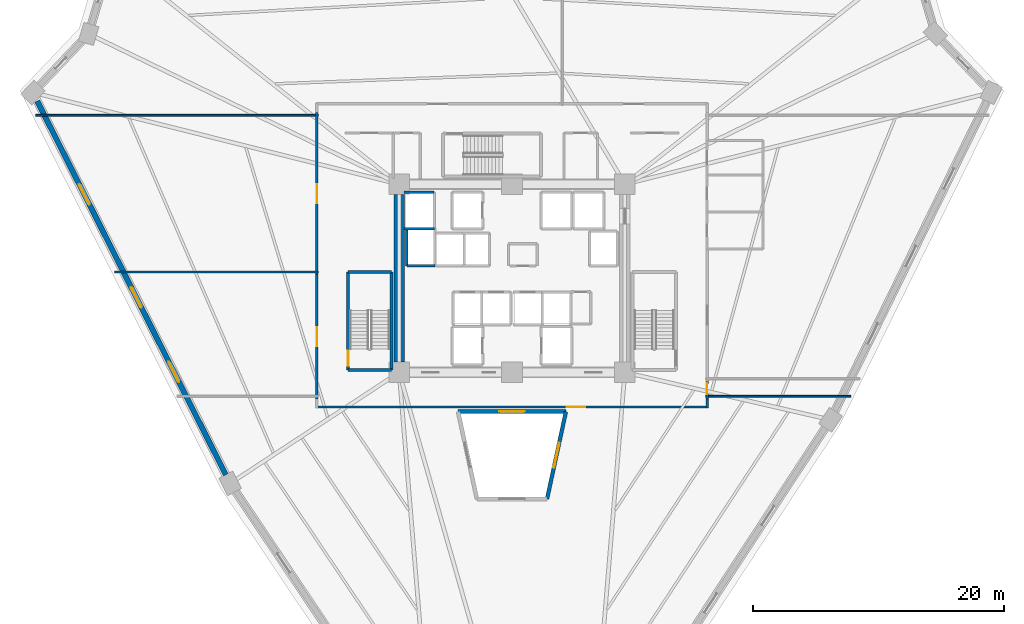
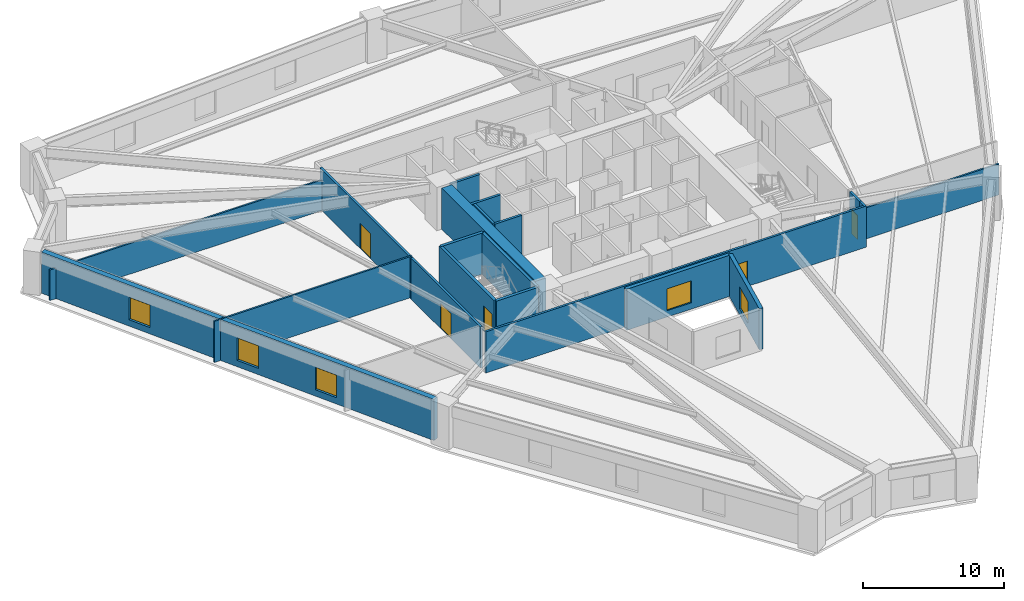
# One storey, part 3 of 8: 20 walls, 5 doors, 5 windows, 10 openings.
"""IFC4 building model written with IfcOpenShell, lengths in metres."""

from ifc_helpers import new_model, si_unit, direction, frame, frame_2d, origin, place, context, subcontext, project, spatial, rectangle, extrude, source, transform, mapped, material, layer, layer_set, type_object, element, fill, save


model = new_model("IFC4")

# Units and contexts
model_context = context("Model", 3, precision=1e-05, world=origin(), true_north=direction((0.0, 1.0)))
body_context = subcontext(model_context, "Body", "Model", "MODEL_VIEW")
ifc_project = project(units=[si_unit("LENGTHUNIT", "METRE"), si_unit("AREAUNIT", "SQUARE_METRE"), si_unit("VOLUMEUNIT", "CUBIC_METRE"), si_unit("PLANEANGLEUNIT", "RADIAN"), si_unit("MASSUNIT", "GRAM", prefix="KILO")], contexts=[model_context])

# Site, building, storey
site_placement = place(None, origin())
site = spatial("IfcSite", under=ifc_project, at=site_placement, CompositionType="ELEMENT")
building_placement = place(site_placement, origin())
building = spatial("IfcBuilding", under=site, at=building_placement, Name="Liaohun Quay Tower", CompositionType="ELEMENT")
storey_placement = place(building_placement, frame((0.0, 0.0, 63.0)))
storey = spatial("IfcBuildingStorey", under=building, at=storey_placement, Name="L16", CompositionType="ELEMENT", Elevation=63.0)

# Wall, opening, window
ifc_material_1 = material(Name="Concrete C50", Category="concrete")
ifc_layer_1 = layer(ifc_material_1, 0.300048828125, Name="Concrete C50", Category="concrete")
ifc_layer_set_1 = layer_set([ifc_layer_1], Name="Concrete C50")
wall_type_1 = type_object("IfcWallType", Name="WAL-ATR-300", PredefinedType="SOLIDWALL", material=ifc_layer_set_1)
wall_1_placement = place(storey_placement, frame((55.697998046875, 43.3701171875, 0.0), z_axis=(0.0, 0.0, 1.0), x_axis=(1.0, 0.0, 0.0)))
wall_1 = element("IfcWall", 1, at=wall_1_placement, inside=storey, type_object=wall_type_1, Name="L16 Atrium Fire Compartment Wall 2", PredefinedType="SOLIDWALL", context=body_context, shape_type="SweptSolid", body=[
    extrude(rectangle(XDim=8.60400390625, YDim=0.300048828125, at=frame_2d((4.302001953125, 0.0))), origin(), (0.0, 0.0, 1.0), 3.570068359375),
])
shared_shape_1 = source(origin(), body_context, "Body", "SweptSolid", [
    extrude(rectangle(XDim=2.0, YDim=1.89990234375, at=frame_2d((1.0, 0.949951171875))), frame((0.0, 0.159912109375, 0.0), z_axis=(0.0, -1.0, 0.0), x_axis=(1.0, 0.0, 0.0)), (0.0, 0.0, 1.0), 0.320068359375),
])
opening_1_placement = place(wall_1_placement, frame((3.302001953125, 0.0, 0.550048828125)))
opening_1 = element("IfcOpeningElement", 2, at=opening_1_placement, cuts=wall_1, Name="Opening W07", PredefinedType="OPENING", context=body_context, shape_type="MappedRepresentation", body=[
    mapped(shared_shape_1, transform((0.0, 0.0, 0.0), x_axis=(1.0, 0.0, 0.0), y_axis=(0.0, 1.0, 0.0), z_axis=(0.0, 0.0, 1.0), scale=1.0)),
])
ifc_material_2 = material(Name="Class A 180-min fire-resistant insulated glazing", Category="glass")
window_type_1 = type_object("IfcWindowType", Name="WIN-ATR-FIR", PartitioningType="DOUBLE_PANEL_VERTICAL", PredefinedType="WINDOW", material=ifc_material_2)
shared_shape_2 = source(origin(), body_context, "Body", "SweptSolid", [
    extrude(rectangle(XDim=2.0, YDim=1.89990234375, at=frame_2d((1.0, 0.949951171875))), frame((0.0, 0.030029296875, 0.0), z_axis=(0.0, -1.0, 0.0), x_axis=(1.0, 0.0, 0.0)), (0.0, 0.0, 1.0), 0.06005859375),
])
window_1_placement = place(opening_1_placement, origin())
window_1 = element("IfcWindow", 3, at=window_1_placement, inside=storey, type_object=window_type_1, Name="L16 Atrium Fire-Resistant Glazing W07-2", OverallHeight=1.89990234375, OverallWidth=2.0, PartitioningType="DOUBLE_PANEL_VERTICAL", PredefinedType="WINDOW", context=body_context, shape_type="MappedRepresentation", body=[
    mapped(shared_shape_2, transform((0.0, 0.0, 0.0), x_axis=(1.0, 0.0, 0.0), y_axis=(0.0, 1.0, 0.0), z_axis=(0.0, 0.0, 1.0), scale=1.0)),
])
fill(opening_1, window_1)

wall_2_placement = place(storey_placement, frame((64.302001953125, 43.3701171875, 0.0), z_axis=(0.0, 0.0, 1.0), x_axis=(-0.211408002859, -0.977397900718, 0.0)))
wall_2 = element("IfcWall", 4, at=wall_2_placement, inside=storey, type_object=wall_type_1, Name="L16 Atrium Fire Compartment Wall 3", PredefinedType="SOLIDWALL", context=body_context, shape_type="SweptSolid", body=[
    extrude(rectangle(XDim=7.124267578125, YDim=0.300048828125, at=frame_2d((3.56201171875, 0.0))), origin(), (0.0, 0.0, 1.0), 3.570068359375),
])
opening_2_placement = place(wall_2_placement, frame((2.56201171875, 0.0, 0.550048828125)))
opening_2 = element("IfcOpeningElement", 5, at=opening_2_placement, cuts=wall_2, Name="Opening W07", PredefinedType="OPENING", context=body_context, shape_type="MappedRepresentation", body=[
    mapped(shared_shape_1, transform((0.0, 0.0, 0.0), x_axis=(1.0, 0.0, 0.0), y_axis=(0.0, 1.0, 0.0), z_axis=(0.0, 0.0, 1.0), scale=1.0)),
])
window_2_placement = place(opening_2_placement, origin())
window_2 = element("IfcWindow", 6, at=window_2_placement, inside=storey, type_object=window_type_1, Name="L16 Atrium Fire-Resistant Glazing W07-3", OverallHeight=1.89990234375, OverallWidth=2.0, PartitioningType="DOUBLE_PANEL_VERTICAL", PredefinedType="WINDOW", context=body_context, shape_type="MappedRepresentation", body=[
    mapped(shared_shape_2, transform((0.0, 0.0, 0.0), x_axis=(1.0, 0.0, 0.0), y_axis=(0.0, 1.0, 0.0), z_axis=(0.0, 0.0, 1.0), scale=1.0)),
])
fill(opening_2, window_2)

# Wall
ifc_material_3 = material(Name="Concrete C60", Category="concrete")
ifc_layer_2 = layer(ifc_material_3, 0.85009765625, Name="Concrete C60", Category="concrete")
ifc_layer_set_2 = layer_set([ifc_layer_2], Name="Concrete C60")
wall_type_2 = type_object("IfcWallType", Name="WAL-COR-Z1", PredefinedType="SHEAR", material=ifc_layer_set_2)
wall_3_placement = place(storey_placement, frame((51.0, 47.324951171875, 0.0), z_axis=(0.0, 0.0, 1.0), x_axis=(0.0, 1.0, 0.0)))
element("IfcWall", 7, at=wall_3_placement, inside=storey, type_object=wall_type_2, Name="L16 Central Core Shear Wall W", PredefinedType="SHEAR", context=body_context, shape_type="SweptSolid", body=[
    extrude(rectangle(XDim=13.35009765625, YDim=0.85009765625, at=frame_2d((6.675048828125, 0.0))), origin(), (0.0, 0.0, 1.0), 3.570068359375),
])

# Wall, openings, windows
ifc_material_4 = material(Name="Precast concrete C50 insulated sandwich", Category="concrete")
ifc_layer_3 = layer(ifc_material_4, 0.419921875, Name="Precast concrete C50 insulated sandwich", Category="concrete")
ifc_layer_set_3 = layer_set([ifc_layer_3], Name="Precast concrete C50 insulated sandwich")
wall_type_3 = type_object("IfcWallType", Name="WAL-EXT-Z12", PredefinedType="SOLIDWALL", material=ifc_layer_set_3)
wall_4_placement = place(storey_placement, frame((22.14111328125, 68.133056640625, 0.0), z_axis=(0.0, 0.0, 1.0), x_axis=(0.450521782218, -0.892765436017, 0.0)))
wall_4 = element("IfcWall", 8, at=wall_4_placement, inside=storey, type_object=wall_type_3, Name="L16 Brutalist Precast Pier Wall 10", PredefinedType="SOLIDWALL", context=body_context, shape_type="SweptSolid", body=[
    extrude(rectangle(XDim=33.38525390625, YDim=0.419921875, at=frame_2d((16.692626953125, 0.0))), origin(), (0.0, 0.0, 1.0), 3.570068359375),
])
shared_shape_3 = source(origin(), body_context, "Body", "SweptSolid", [
    extrude(rectangle(XDim=1.800048828125, YDim=1.949951171875, at=frame_2d((0.89990234375, 0.97509765625))), frame((0.0, 0.219970703125, 0.0), z_axis=(0.0, -1.0, 0.0), x_axis=(1.0, 0.0, 0.0)), (0.0, 0.0, 1.0), 0.43994140625),
])
opening_3_placement = place(wall_4_placement, frame((7.446044921875, 0.0, 0.550048828125)))
opening_3 = element("IfcOpeningElement", 9, at=opening_3_placement, cuts=wall_4, Name="Opening W01", PredefinedType="OPENING", context=body_context, shape_type="MappedRepresentation", body=[
    mapped(shared_shape_3, transform((0.0, 0.0, 0.0), x_axis=(1.0, 0.0, 0.0), y_axis=(0.0, 1.0, 0.0), z_axis=(0.0, 0.0, 1.0), scale=1.0)),
])
opening_4_placement = place(wall_4_placement, frame((16.64306640625, 0.0, 0.550048828125)))
opening_4 = element("IfcOpeningElement", 10, at=opening_4_placement, cuts=wall_4, Name="Opening W01", PredefinedType="OPENING", context=body_context, shape_type="MappedRepresentation", body=[
    mapped(shared_shape_3, transform((0.0, 0.0, 0.0), x_axis=(1.0, 0.0, 0.0), y_axis=(0.0, 1.0, 0.0), z_axis=(0.0, 0.0, 1.0), scale=1.0)),
])
opening_5_placement = place(wall_4_placement, frame((23.2890625, 0.0, 0.550048828125)))
opening_5 = element("IfcOpeningElement", 11, at=opening_5_placement, cuts=wall_4, Name="Opening W01", PredefinedType="OPENING", context=body_context, shape_type="MappedRepresentation", body=[
    mapped(shared_shape_3, transform((0.0, 0.0, 0.0), x_axis=(1.0, 0.0, 0.0), y_axis=(0.0, 1.0, 0.0), z_axis=(0.0, 0.0, 1.0), scale=1.0)),
])
ifc_material_5 = material(Name="Triple Low-E argon glazing in thermally broken aluminium", Category="aluminium")
window_type_2 = type_object("IfcWindowType", Name="WIN-PUN-Z1", PartitioningType="DOUBLE_PANEL_VERTICAL", PredefinedType="WINDOW", material=ifc_material_5)
shared_shape_4 = source(origin(), body_context, "Body", "SweptSolid", [
    extrude(rectangle(XDim=1.800048828125, YDim=1.949951171875, at=frame_2d((0.89990234375, 0.97509765625))), frame((0.0, 0.030029296875, 0.0), z_axis=(0.0, -1.0, 0.0), x_axis=(1.0, 0.0, 0.0)), (0.0, 0.0, 1.0), 0.06005859375),
])
window_3_placement = place(opening_3_placement, origin())
window_3 = element("IfcWindow", 12, at=window_3_placement, inside=storey, type_object=window_type_2, Name="L16 Recessed Cold-Climate Punched Window 10-1", OverallHeight=1.949951171875, OverallWidth=1.800048828125, PartitioningType="DOUBLE_PANEL_VERTICAL", PredefinedType="WINDOW", context=body_context, shape_type="MappedRepresentation", body=[
    mapped(shared_shape_4, transform((0.0, 0.0, 0.0), x_axis=(1.0, 0.0, 0.0), y_axis=(0.0, 1.0, 0.0), z_axis=(0.0, 0.0, 1.0), scale=1.0)),
])
fill(opening_3, window_3)
window_4_placement = place(opening_4_placement, origin())
window_4 = element("IfcWindow", 13, at=window_4_placement, inside=storey, type_object=window_type_2, Name="L16 Recessed Cold-Climate Punched Window 10-2", OverallHeight=1.949951171875, OverallWidth=1.800048828125, PartitioningType="DOUBLE_PANEL_VERTICAL", PredefinedType="WINDOW", context=body_context, shape_type="MappedRepresentation", body=[
    mapped(shared_shape_4, transform((0.0, 0.0, 0.0), x_axis=(1.0, 0.0, 0.0), y_axis=(0.0, 1.0, 0.0), z_axis=(0.0, 0.0, 1.0), scale=1.0)),
])
fill(opening_4, window_4)
window_5_placement = place(opening_5_placement, origin())
window_5 = element("IfcWindow", 14, at=window_5_placement, inside=storey, type_object=window_type_2, Name="L16 Recessed Cold-Climate Punched Window 10-3", OverallHeight=1.949951171875, OverallWidth=1.800048828125, PartitioningType="DOUBLE_PANEL_VERTICAL", PredefinedType="WINDOW", context=body_context, shape_type="MappedRepresentation", body=[
    mapped(shared_shape_4, transform((0.0, 0.0, 0.0), x_axis=(1.0, 0.0, 0.0), y_axis=(0.0, 1.0, 0.0), z_axis=(0.0, 0.0, 1.0), scale=1.0)),
])
fill(opening_5, window_5)

# Wall, opening, door
ifc_material_6 = material(Name="Autoclaved aerated concrete blockwork", Category="masonry")
ifc_layer_4 = layer(ifc_material_6, 0.179931640625, Name="Autoclaved aerated concrete blockwork", Category="masonry")
ifc_layer_set_4 = layer_set([ifc_layer_4], Name="Autoclaved aerated concrete blockwork")
wall_type_4 = type_object("IfcWallType", Name="WAL-PRT-COR", PredefinedType="PARTITIONING", material=ifc_layer_set_4)
wall_5_placement = place(storey_placement, frame((44.43994140625, 54.284912109375, 0.0), z_axis=(0.0, 0.0, 1.0), x_axis=(0.0, 1.0, 0.0)))
wall_5 = element("IfcWall", 15, at=wall_5_placement, inside=storey, type_object=wall_type_4, Name="L16 Interior Partition Wall 013", PredefinedType="PARTITIONING", context=body_context, shape_type="SweptSolid", body=[
    extrude(rectangle(XDim=12.93017578125, YDim=0.179931640625, at=frame_2d((6.465087890625, 0.0))), origin(), (0.0, 0.0, 1.0), 3.570068359375),
])
shared_shape_5 = source(origin(), body_context, "Body", "SweptSolid", [
    extrude(rectangle(XDim=1.5, YDim=2.199951171875, at=frame_2d((0.75, 1.10009765625))), frame((0.0, 0.099853515625, 0.0), z_axis=(0.0, -1.0, 0.0), x_axis=(1.0, 0.0, 0.0)), (0.0, 0.0, 1.0), 0.199951171875),
])
opening_6_placement = place(wall_5_placement, frame((5.715087890625, 0.0, 0.0)))
opening_6 = element("IfcOpeningElement", 16, at=opening_6_placement, cuts=wall_5, Name="Opening OD2", PredefinedType="OPENING", context=body_context, shape_type="MappedRepresentation", body=[
    mapped(shared_shape_5, transform((0.0, 0.0, 0.0), x_axis=(1.0, 0.0, 0.0), y_axis=(0.0, 1.0, 0.0), z_axis=(0.0, 0.0, 1.0), scale=1.0)),
])
ifc_material_7 = material(Name="Acoustic oak veneer double door")
door_type_1 = type_object("IfcDoorType", Name="DOR-OFF-1500", OperationType="DOUBLE_DOOR_SINGLE_SWING", PredefinedType="DOOR", material=ifc_material_7)
shared_shape_6 = source(origin(), body_context, "Body", "SweptSolid", [
    extrude(rectangle(XDim=1.5, YDim=2.199951171875, at=frame_2d((0.75, 1.10009765625))), frame((0.0, 0.02490234375, 0.0), z_axis=(0.0, -1.0, 0.0), x_axis=(1.0, 0.0, 0.0)), (0.0, 0.0, 1.0), 0.050048828125),
])
door_1_placement = place(opening_6_placement, origin())
door_1 = element("IfcDoor", 17, at=door_1_placement, inside=storey, type_object=door_type_1, Name="L16 Project Collaboration Studio 04 Door", OperationType="DOUBLE_DOOR_SINGLE_SWING", OverallHeight=2.199951171875, OverallWidth=1.5, PredefinedType="DOOR", context=body_context, shape_type="MappedRepresentation", body=[
    mapped(shared_shape_6, transform((0.0, 0.0, 0.0), x_axis=(1.0, 0.0, 0.0), y_axis=(0.0, 1.0, 0.0), z_axis=(0.0, 0.0, 1.0), scale=1.0)),
])
fill(opening_6, door_1)

wall_6_placement = place(storey_placement, frame((44.43994140625, 44.385009765625, 0.0), z_axis=(0.0, 0.0, 1.0), x_axis=(0.0, 1.0, 0.0)))
wall_6 = element("IfcWall", 18, at=wall_6_placement, inside=storey, type_object=wall_type_4, Name="L16 Interior Partition Wall 014", PredefinedType="PARTITIONING", context=body_context, shape_type="SweptSolid", body=[
    extrude(rectangle(XDim=9.89990234375, YDim=0.179931640625, at=frame_2d((4.949951171875, 0.0))), origin(), (0.0, 0.0, 1.0), 3.570068359375),
])
opening_7_placement = place(wall_6_placement, frame((4.199951171875, 0.0, 0.0)))
opening_7 = element("IfcOpeningElement", 19, at=opening_7_placement, cuts=wall_6, Name="Opening OD2", PredefinedType="OPENING", context=body_context, shape_type="MappedRepresentation", body=[
    mapped(shared_shape_5, transform((0.0, 0.0, 0.0), x_axis=(1.0, 0.0, 0.0), y_axis=(0.0, 1.0, 0.0), z_axis=(0.0, 0.0, 1.0), scale=1.0)),
])
door_2_placement = place(opening_7_placement, origin())
door_2 = element("IfcDoor", 20, at=door_2_placement, inside=storey, type_object=door_type_1, Name="L16 Engineering Model Workshop 05 Door", OperationType="DOUBLE_DOOR_SINGLE_SWING", OverallHeight=2.199951171875, OverallWidth=1.5, PredefinedType="DOOR", context=body_context, shape_type="MappedRepresentation", body=[
    mapped(shared_shape_6, transform((0.0, 0.0, 0.0), x_axis=(1.0, 0.0, 0.0), y_axis=(0.0, 1.0, 0.0), z_axis=(0.0, 0.0, 1.0), scale=1.0)),
])
fill(opening_7, door_2)

wall_7_placement = place(storey_placement, frame((75.6298828125, 43.739990234375, 0.0), z_axis=(0.0, 0.0, 1.0), x_axis=(-1.0, 0.0, 0.0)))
wall_7 = element("IfcWall", 21, at=wall_7_placement, inside=storey, type_object=wall_type_4, Name="L16 Interior Partition Wall 015", PredefinedType="PARTITIONING", context=body_context, shape_type="SweptSolid", body=[
    extrude(rectangle(XDim=31.259765625, YDim=0.179931640625, at=frame_2d((15.6298828125, 0.0))), origin(), (0.0, 0.0, 1.0), 3.570068359375),
])
opening_8_placement = place(wall_7_placement, frame((9.780029296875, 0.0, 0.0)))
opening_8 = element("IfcOpeningElement", 22, at=opening_8_placement, cuts=wall_7, Name="Opening OD2", PredefinedType="OPENING", context=body_context, shape_type="MappedRepresentation", body=[
    mapped(shared_shape_5, transform((0.0, 0.0, 0.0), x_axis=(1.0, 0.0, 0.0), y_axis=(0.0, 1.0, 0.0), z_axis=(0.0, 0.0, 1.0), scale=1.0)),
])
door_3_placement = place(opening_8_placement, origin())
door_3 = element("IfcDoor", 23, at=door_3_placement, inside=storey, type_object=door_type_1, Name="L16 Staff Tea Kitchen and Pantry 06 Door", OperationType="DOUBLE_DOOR_SINGLE_SWING", OverallHeight=2.199951171875, OverallWidth=1.5, PredefinedType="DOOR", context=body_context, shape_type="MappedRepresentation", body=[
    mapped(shared_shape_6, transform((0.0, 0.0, 0.0), x_axis=(1.0, 0.0, 0.0), y_axis=(0.0, 1.0, 0.0), z_axis=(0.0, 0.0, 1.0), scale=1.0)),
])
fill(opening_8, door_3)

wall_8_placement = place(storey_placement, frame((75.56005859375, 45.784912109375, 0.0), z_axis=(0.0, 0.0, 1.0), x_axis=(0.0, -1.0, 0.0)))
wall_8 = element("IfcWall", 24, at=wall_8_placement, inside=storey, type_object=wall_type_4, Name="L16 Interior Partition Wall 016", PredefinedType="PARTITIONING", context=body_context, shape_type="SweptSolid", body=[
    extrude(rectangle(XDim=1.39990234375, YDim=0.179931640625, at=frame_2d((0.699951171875, 0.0))), origin(), (0.0, 0.0, 1.0), 3.570068359375),
])
shared_shape_7 = source(origin(), body_context, "Body", "SweptSolid", [
    extrude(rectangle(XDim=0.85009765625, YDim=2.10009765625, at=frame_2d((0.425048828125, 1.050048828125))), frame((0.0, 0.099853515625, 0.0), z_axis=(0.0, -1.0, 0.0), x_axis=(1.0, 0.0, 0.0)), (0.0, 0.0, 1.0), 0.199951171875),
])
opening_9_placement = place(wall_8_placement, frame((0.1630859375, 0.0, 0.0)))
opening_9 = element("IfcOpeningElement", 25, at=opening_9_placement, cuts=wall_8, Name="Opening AD1", PredefinedType="OPENING", context=body_context, shape_type="MappedRepresentation", body=[
    mapped(shared_shape_7, transform((0.0, 0.0, 0.0), x_axis=(1.0, 0.0, 0.0), y_axis=(0.0, 1.0, 0.0), z_axis=(0.0, 0.0, 1.0), scale=1.0)),
])
ifc_material_8 = material(Name="Steel riser inspection fire door", Category="steel")
door_type_2 = type_object("IfcDoorType", Name="DOR-SHF-850", OperationType="NOTDEFINED", PredefinedType="DOOR", material=ifc_material_8)
shared_shape_8 = source(origin(), body_context, "Body", "SweptSolid", [
    extrude(rectangle(XDim=0.85009765625, YDim=2.10009765625, at=frame_2d((0.425048828125, 1.050048828125))), frame((0.0, 0.02490234375, 0.0), z_axis=(0.0, -1.0, 0.0), x_axis=(1.0, 0.0, 0.0)), (0.0, 0.0, 1.0), 0.050048828125),
])
door_4_placement = place(opening_9_placement, origin())
door_4 = element("IfcDoor", 26, at=door_4_placement, inside=storey, type_object=door_type_2, Name="L16 Architectural Design Studio 07 Door", OperationType="SINGLE_SWING_RIGHT", OverallHeight=2.10009765625, OverallWidth=0.85009765625, PredefinedType="DOOR", context=body_context, shape_type="MappedRepresentation", body=[
    mapped(shared_shape_8, transform((0.0, 0.0, 0.0), x_axis=(1.0, 0.0, 0.0), y_axis=(0.0, 1.0, 0.0), z_axis=(0.0, 0.0, 1.0), scale=1.0)),
])
fill(opening_9, door_4)

# Walls
wall_9_placement = place(storey_placement, frame((75.56005859375, 44.385009765625, 0.0), z_axis=(0.0, 0.0, 1.0), x_axis=(0.0, -1.0, 0.0)))
element("IfcWall", 27, at=wall_9_placement, inside=storey, type_object=wall_type_4, Name="L16 Interior Partition Wall 035", PredefinedType="PARTITIONING", context=body_context, shape_type="SweptSolid", body=[
    extrude(rectangle(XDim=0.715087890625, YDim=0.179931640625, at=frame_2d((0.357421875, 0.0))), origin(), (0.0, 0.0, 1.0), 3.570068359375),
])
ifc_material_9 = material(Name="Gypsum board on twin steel studs", Category="steel")
ifc_layer_5 = layer(ifc_material_9, 0.139892578125, Name="Gypsum board on twin steel studs", Category="steel")
ifc_layer_set_5 = layer_set([ifc_layer_5], Name="Gypsum board on twin steel studs")
wall_type_5 = type_object("IfcWallType", Name="WAL-PRT-OFF", PredefinedType="PARTITIONING", material=ifc_layer_set_5)
wall_10_placement = place(storey_placement, frame((44.5400390625, 54.5, 0.0), z_axis=(0.0, 0.0, 1.0), x_axis=(-1.0, 0.0, 0.0)))
element("IfcWall", 28, at=wall_10_placement, inside=storey, type_object=wall_type_5, Name="L16 Interior Partition Wall 037", PredefinedType="PARTITIONING", context=body_context, shape_type="SweptSolid", body=[
    extrude(rectangle(XDim=16.22509765625, YDim=0.139892578125, at=frame_2d((8.112548828125, 0.0))), origin(), (0.0, 0.0, 1.0), 3.570068359375),
])
wall_11_placement = place(storey_placement, frame((44.5400390625, 67.0, 0.0), z_axis=(0.0, 0.0, 1.0), x_axis=(-1.0, 0.0, 0.0)))
element("IfcWall", 29, at=wall_11_placement, inside=storey, type_object=wall_type_5, Name="L16 Interior Partition Wall 038", PredefinedType="PARTITIONING", context=body_context, shape_type="SweptSolid", body=[
    extrude(rectangle(XDim=22.532958984375, YDim=0.139892578125, at=frame_2d((11.2666015625, 0.0))), origin(), (0.0, 0.0, 1.0), 2.655029296875),
])
wall_12_placement = place(storey_placement, frame((75.4599609375, 44.60009765625, 0.0), z_axis=(0.0, 0.0, 1.0), x_axis=(1.0, 0.0, 0.0)))
element("IfcWall", 30, at=wall_12_placement, inside=storey, type_object=wall_type_5, Name="L16 Interior Partition Wall 039", PredefinedType="PARTITIONING", context=body_context, shape_type="SweptSolid", body=[
    extrude(rectangle(XDim=11.568115234375, YDim=0.139892578125, at=frame_2d((5.7841796875, 0.0))), origin(), (0.0, 0.0, 1.0), 2.705078125),
])
ifc_layer_6 = layer(ifc_material_1, 0.239990234375, Name="Concrete C50", Category="concrete")
ifc_layer_set_6 = layer_set([ifc_layer_6], Name="Concrete C50")
wall_type_6 = type_object("IfcWallType", Name="WAL-SHF-200", PredefinedType="SOLIDWALL", material=ifc_layer_set_6)
wall_13_placement = place(storey_placement, frame((46.93994140625, 46.699951171875, 0.0), z_axis=(0.0, 0.0, 1.0), x_axis=(1.0, 0.0, 0.0)))
element("IfcWall", 31, at=wall_13_placement, inside=storey, type_object=wall_type_6, Name="L16 Stairwell ST-1 Structural Core Wall S", PredefinedType="SOLIDWALL", context=body_context, shape_type="SweptSolid", body=[
    extrude(rectangle(XDim=3.43994140625, YDim=0.239990234375, at=frame_2d((1.719970703125, 0.0))), origin(), (0.0, 0.0, 1.0), 3.570068359375),
])
wall_14_placement = place(storey_placement, frame((50.3798828125, 46.699951171875, 0.0), z_axis=(0.0, 0.0, 1.0), x_axis=(0.0, 1.0, 0.0)))
element("IfcWall", 32, at=wall_14_placement, inside=storey, type_object=wall_type_6, Name="L16 Stairwell ST-1 Structural Core Wall E", PredefinedType="SOLIDWALL", context=body_context, shape_type="SweptSolid", body=[
    extrude(rectangle(XDim=7.820068359375, YDim=0.239990234375, at=frame_2d((3.91015625, 0.0))), origin(), (0.0, 0.0, 1.0), 3.570068359375),
])
wall_15_placement = place(storey_placement, frame((50.3798828125, 54.52001953125, 0.0), z_axis=(0.0, 0.0, 1.0), x_axis=(-1.0, 0.0, 0.0)))
element("IfcWall", 33, at=wall_15_placement, inside=storey, type_object=wall_type_6, Name="L16 Stairwell ST-1 Structural Core Wall N", PredefinedType="SOLIDWALL", context=body_context, shape_type="SweptSolid", body=[
    extrude(rectangle(XDim=3.43994140625, YDim=0.239990234375, at=frame_2d((1.719970703125, 0.0))), origin(), (0.0, 0.0, 1.0), 3.570068359375),
])

# Wall, opening, door
wall_16_placement = place(storey_placement, frame((46.93994140625, 54.52001953125, 0.0), z_axis=(0.0, 0.0, 1.0), x_axis=(0.0, -1.0, 0.0)))
wall_16 = element("IfcWall", 34, at=wall_16_placement, inside=storey, type_object=wall_type_6, Name="L16 Stairwell ST-1 Structural Core Wall W", PredefinedType="SOLIDWALL", context=body_context, shape_type="SweptSolid", body=[
    extrude(rectangle(XDim=7.820068359375, YDim=0.239990234375, at=frame_2d((3.91015625, 0.0))), origin(), (0.0, 0.0, 1.0), 3.570068359375),
])
shared_shape_9 = source(origin(), body_context, "Body", "SweptSolid", [
    extrude(rectangle(XDim=1.199951171875, YDim=2.199951171875, at=frame_2d((0.60009765625, 1.10009765625))), frame((0.0, 0.1298828125, 0.0), z_axis=(0.0, -1.0, 0.0), x_axis=(1.0, 0.0, 0.0)), (0.0, 0.0, 1.0), 0.260009765625),
])
opening_10_placement = place(wall_16_placement, frame((6.300048828125, 0.0, 0.0)))
opening_10 = element("IfcOpeningElement", 35, at=opening_10_placement, cuts=wall_16, Name="Opening SD1", PredefinedType="OPENING", context=body_context, shape_type="MappedRepresentation", body=[
    mapped(shared_shape_9, transform((0.0, 0.0, 0.0), x_axis=(1.0, 0.0, 0.0), y_axis=(0.0, 1.0, 0.0), z_axis=(0.0, 0.0, 1.0), scale=1.0)),
])
ifc_material_10 = material(Name="Galvanised steel fire door", Category="steel")
door_type_3 = type_object("IfcDoorType", Name="DOR-STR-1200", OperationType="NOTDEFINED", PredefinedType="DOOR", material=ifc_material_10)
shared_shape_10 = source(origin(), body_context, "Body", "SweptSolid", [
    extrude(rectangle(XDim=1.199951171875, YDim=2.199951171875, at=frame_2d((0.60009765625, 1.10009765625))), frame((0.0, 0.02490234375, 0.0), z_axis=(0.0, -1.0, 0.0), x_axis=(1.0, 0.0, 0.0)), (0.0, 0.0, 1.0), 0.050048828125),
])
door_5_placement = place(opening_10_placement, origin())
door_5 = element("IfcDoor", 36, at=door_5_placement, inside=storey, type_object=door_type_3, Name="L16 Protected Stair ST-1 Fire Door", OperationType="SINGLE_SWING_LEFT", OverallHeight=2.199951171875, OverallWidth=1.199951171875, PredefinedType="DOOR", context=body_context, shape_type="MappedRepresentation", body=[
    mapped(shared_shape_10, transform((0.0, 0.0, 0.0), x_axis=(1.0, 0.0, 0.0), y_axis=(0.0, 1.0, 0.0), z_axis=(0.0, 0.0, 1.0), scale=1.0)),
])
fill(opening_10, door_5)

# Walls
for number, where, z_axis, x_axis, name in (
    (37, (51.39990234375, 57.949951171875, 0.0), (0.0, 0.0, 1.0), (1.0, 0.0, 0.0), "L16 Lift SH-01 Hoistway Wall S"),
    (38, (53.800048828125, 60.8798828125, 0.0), (0.0, 0.0, 1.0), (-1.0, 0.0, 0.0), "L16 Lift SH-01 Hoistway Wall N"),
):
    element("IfcWall", number, at=place(storey_placement, frame(where, z_axis=z_axis, x_axis=x_axis)), inside=storey, type_object=wall_type_6, Name=name, PredefinedType="SOLIDWALL", context=body_context, shape_type="SweptSolid", body=[
        extrude(rectangle(XDim=2.400146484375, YDim=0.199951171875, at=frame_2d((1.2001953125, 0.0))), origin(), (0.0, 0.0, 1.0), 3.570068359375),
    ])
wall_17_placement = place(storey_placement, frame((51.6201171875, 55.0, 0.0), z_axis=(0.0, 0.0, 1.0), x_axis=(1.0, 0.0, 0.0)))
element("IfcWall", 39, at=wall_17_placement, inside=storey, type_object=wall_type_6, Name="L16 Lift SH-02 Hoistway Wall S", PredefinedType="SOLIDWALL", context=body_context, shape_type="SweptSolid", body=[
    extrude(rectangle(XDim=2.22998046875, YDim=0.199951171875, at=frame_2d((1.114990234375, 0.0))), origin(), (0.0, 0.0, 1.0), 3.570068359375),
])
wall_18_placement = place(storey_placement, frame((51.6201171875, 58.0, 0.0), z_axis=(0.0, 0.0, 1.0), x_axis=(0.0, -1.0, 0.0)))
element("IfcWall", 40, at=wall_18_placement, inside=storey, type_object=wall_type_6, Name="L16 Lift SH-02 Hoistway Wall W", PredefinedType="SOLIDWALL", context=body_context, shape_type="SweptSolid", body=[
    extrude(rectangle(XDim=3.0, YDim=0.199951171875, at=frame_2d((1.5, 0.0))), origin(), (0.0, 0.0, 1.0), 3.570068359375),
])

save(model, "model.ifc")
